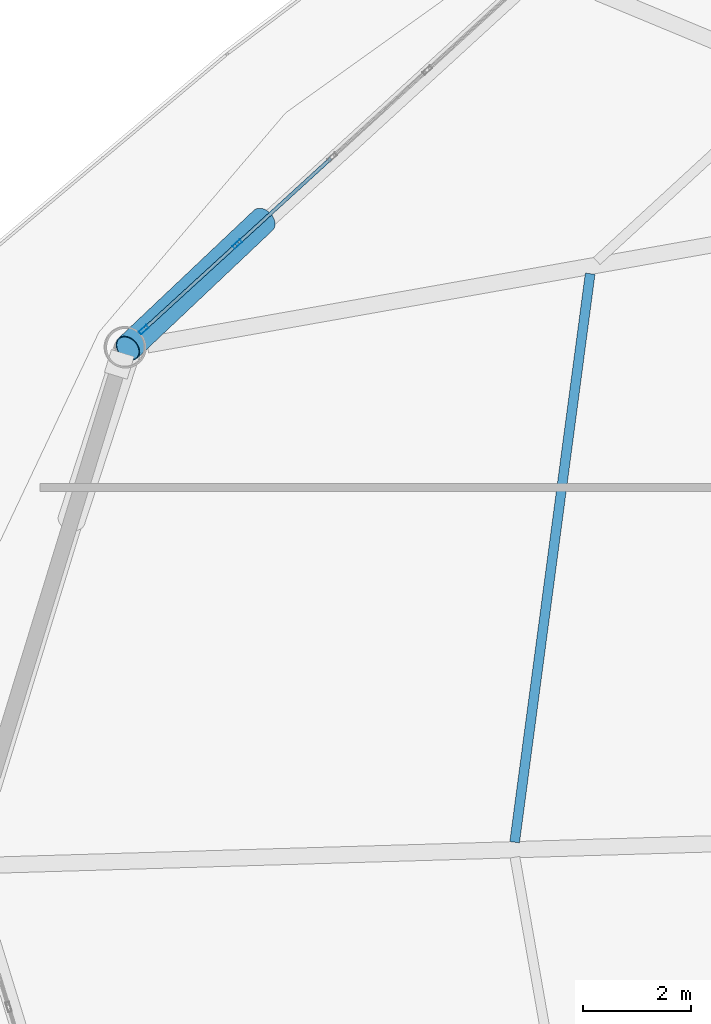
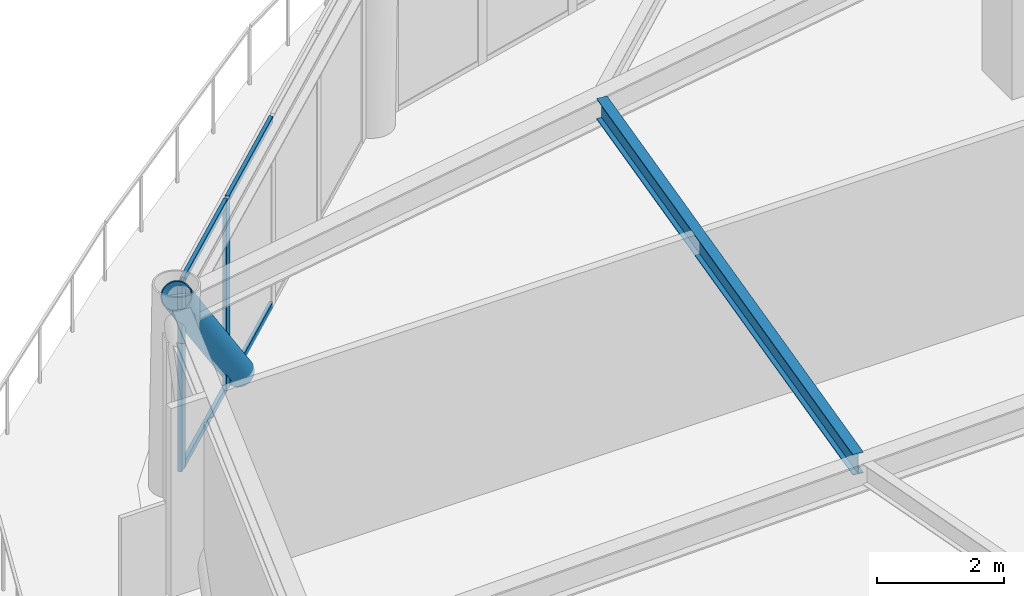
# One storey, part 10 of 23: 7 members, 1 beam, 1 element without a shape of its own.
"""IFC4 building model written with IfcOpenShell, lengths in metres."""

from ifc_helpers import new_model, si_unit, direction, frame, origin, origin_2d, place, context, subcontext, project, spatial, hollow_rectangle, hollow_circle, i_section, extrude, material, layer, layer_set, material_profile, profile_set, type_object, element, aggregate, save


model = new_model("IFC4")

# Units and contexts
model_context = context("Model", 3, precision=1e-05, world=origin(), true_north=direction((0.0, 1.0)))
body_context = subcontext(model_context, "Body", "Model", "MODEL_VIEW")
ifc_project = project(units=[si_unit("LENGTHUNIT", "METRE"), si_unit("AREAUNIT", "SQUARE_METRE"), si_unit("VOLUMEUNIT", "CUBIC_METRE"), si_unit("PLANEANGLEUNIT", "RADIAN"), si_unit("MASSUNIT", "GRAM", prefix="KILO")], contexts=[model_context])

# Site, building, storey
site_placement = place(None, origin())
site = spatial("IfcSite", under=ifc_project, at=site_placement, CompositionType="ELEMENT")
building_placement = place(site_placement, origin())
building = spatial("IfcBuilding", under=site, at=building_placement, Name="Varnakorn Sky Granary", CompositionType="ELEMENT")
storey_placement = place(building_placement, frame((0.0, 0.0, 130.5)))
storey = spatial("IfcBuildingStorey", under=building, at=storey_placement, Name="L32", CompositionType="ELEMENT", Elevation=130.5)

# Beam
ifc_material_1 = material(Name="Steel S355JR", Category="steel")
ifc_material_profile_1 = material_profile(ifc_material_1, i_section(OverallWidth=0.179931640625, OverallDepth=0.39990234375, WebThickness=0.008544921875, FlangeThickness=0.013427734375, at=origin_2d()), Name="IPE 400")
ifc_profile_set_1 = profile_set([ifc_material_profile_1], Name="Steel S355JR")
beam_type = type_object("IfcBeamType", Name="BM-SEC-Z3", PredefinedType="BEAM", material=ifc_profile_set_1)
beam_placement = place(storey_placement, frame((-11.0615234375, 10.952392578125, 3.43994140625), z_axis=(-0.13170536889, -0.991288906326, 0.0), x_axis=(0.991288906326, -0.13170536889, 0.0)))
element("IfcBeam", 1, at=beam_placement, inside=storey, type_object=beam_type, Name="Secondary Floor Chord Beam MSB06 L32", PredefinedType="BEAM", context=body_context, shape_type="SweptSolid", body=[
    extrude(i_section(OverallWidth=0.179931640625, OverallDepth=0.39990234375, WebThickness=0.008544921875, FlangeThickness=0.013427734375, at=origin_2d()), origin(), (0.0, 0.0, 1.0), 10.606689453125),
])

# Curtain wall, members
ifc_material_2 = material(Name="Anodised Bronze Aluminium Alloy 6063-T6", Category="aluminium")
ifc_layer = layer(ifc_material_2, 0.179931640625, Name="Anodised Bronze Aluminium Alloy 6063-T6")
ifc_layer_set = layer_set([ifc_layer], Name="Anodised Bronze Aluminium Alloy 6063-T6")
curtain_wall_type = type_object("IfcCurtainWallType", Name="CW-FRM-2", PredefinedType="USERDEFINED", material=ifc_layer_set)
curtain_wall_placement = place(storey_placement, origin())
curtain_wall = element("IfcCurtainWall", 2, at=curtain_wall_placement, inside=storey, type_object=curtain_wall_type, Name="Unitised Curtain Wall CW4 CW-L32-B05", ObjectType="CURTAIN WALL", PredefinedType="USERDEFINED")
ifc_material_profile_2 = material_profile(ifc_material_2, hollow_rectangle(XDim=0.070068359375, YDim=0.18505859375, WallThickness=0.00390625, at=origin_2d()), Name="ALU MULL 70x185")
ifc_profile_set_2 = profile_set([ifc_material_profile_2], Name="Anodised Bronze Aluminium Alloy 6063-T6")
member_type_1 = type_object("IfcMemberType", Name="CW-FRM-2-MULL", PredefinedType="MULLION", material=ifc_profile_set_2)
member_1_placement = place(storey_placement, frame((-19.319580078125, 9.916748046875, 0.0), z_axis=(0.0, 0.0, 1.0), x_axis=(-0.67491752589, 0.737893171975, 0.0)))
member_1 = element("IfcMember", 3, at=member_1_placement, type_object=member_type_1, Name="CW4 mullion 1", PredefinedType="MULLION", context=body_context, shape_type="SweptSolid", body=[
    extrude(hollow_rectangle(XDim=0.070068359375, YDim=0.18505859375, WallThickness=0.00390625, at=origin_2d()), origin(), (0.0, 0.0, 1.0), 3.639892578125),
])
member_2_placement = place(storey_placement, frame((-17.588134765625, 11.50048828125, 0.0), z_axis=(0.0, 0.0, 1.0), x_axis=(-0.67491752589, 0.737893171975, 0.0)))
member_2 = element("IfcMember", 4, at=member_2_placement, type_object=member_type_1, Name="CW4 mullion 2", PredefinedType="MULLION", context=body_context, shape_type="SweptSolid", body=[
    extrude(hollow_rectangle(XDim=0.070068359375, YDim=0.18505859375, WallThickness=0.00390625, at=origin_2d()), origin(), (0.0, 0.0, 1.0), 3.639892578125),
])
ifc_material_profile_3 = material_profile(ifc_material_2, hollow_rectangle(XDim=0.06494140625, YDim=0.1201171875, WallThickness=0.00341796875, at=origin_2d()), Name="ALU TRAN 65x120")
ifc_profile_set_3 = profile_set([ifc_material_profile_3], Name="Anodised Bronze Aluminium Alloy 6063-T6")
member_type_2 = type_object("IfcMemberType", Name="CW-FRM-2-TRAN", PredefinedType="USERDEFINED", material=ifc_profile_set_3)
member_3_placement = place(storey_placement, frame((-19.2939453125, 9.9404296875, 0.032470703125), z_axis=(0.737932672894, 0.674874336655, 0.0), x_axis=(-0.674874336655, 0.737932672894, 0.0)))
member_3 = element("IfcMember", 5, at=member_3_placement, type_object=member_type_2, Name="CW4 transom 1.1", ObjectType="TRANSOM", PredefinedType="USERDEFINED", context=body_context, shape_type="SweptSolid", body=[
    extrude(hollow_rectangle(XDim=0.06494140625, YDim=0.1201171875, WallThickness=0.00341796875, at=origin_2d()), origin(), (0.0, 0.0, 1.0), 2.276611328125),
])
member_4_placement = place(storey_placement, frame((-19.2939453125, 9.9404296875, 3.607421875), z_axis=(0.737932672894, 0.674874336655, 0.0), x_axis=(-0.674874336655, 0.737932672894, 0.0)))
member_4 = element("IfcMember", 6, at=member_4_placement, type_object=member_type_2, Name="CW4 transom 1.2", ObjectType="TRANSOM", PredefinedType="USERDEFINED", context=body_context, shape_type="SweptSolid", body=[
    extrude(hollow_rectangle(XDim=0.06494140625, YDim=0.1201171875, WallThickness=0.00341796875, at=origin_2d()), origin(), (0.0, 0.0, 1.0), 2.276611328125),
])
member_5_placement = place(storey_placement, frame((-17.5625, 11.52392578125, 0.032470703125), z_axis=(0.737929622989, 0.674877671519, 0.0), x_axis=(-0.674877671519, 0.737929622989, 0.0)))
member_5 = element("IfcMember", 7, at=member_5_placement, type_object=member_type_2, Name="CW4 transom 2.1", ObjectType="TRANSOM", PredefinedType="USERDEFINED", context=body_context, shape_type="SweptSolid", body=[
    extrude(hollow_rectangle(XDim=0.06494140625, YDim=0.1201171875, WallThickness=0.00341796875, at=origin_2d()), origin(), (0.0, 0.0, 1.0), 2.3115234375),
])
member_6_placement = place(storey_placement, frame((-17.5625, 11.52392578125, 3.607421875), z_axis=(0.737929622989, 0.674877671519, 0.0), x_axis=(-0.674877671519, 0.737929622989, 0.0)))
member_6 = element("IfcMember", 8, at=member_6_placement, type_object=member_type_2, Name="CW4 transom 2.2", ObjectType="TRANSOM", PredefinedType="USERDEFINED", context=body_context, shape_type="SweptSolid", body=[
    extrude(hollow_rectangle(XDim=0.06494140625, YDim=0.1201171875, WallThickness=0.00341796875, at=origin_2d()), origin(), (0.0, 0.0, 1.0), 2.3115234375),
])
aggregate(curtain_wall, [member_1, member_2, member_3, member_4, member_5, member_6])

# Member
ifc_material_3 = material(Name="Steel S460M", Category="steel")
ifc_material_profile_4 = material_profile(ifc_material_3, hollow_circle(Radius=0.25390625, WallThickness=0.01806640625, at=origin_2d()), Name="CHS 508x18")
ifc_profile_set_4 = profile_set([ifc_material_profile_4], Name="Steel S460M")
member_type_3 = type_object("IfcMemberType", Name="MB-DIAG-T2", PredefinedType="BRACE", material=ifc_profile_set_4)
member_7_placement = place(storey_placement, frame((-17.11083984375, 11.93701171875, -0.1298828125), z_axis=(-0.490069129309, -0.463241574514, 0.738403339741), x_axis=(0.686935811424, -0.726718095951, 0.0)))
element("IfcMember", 9, at=member_7_placement, inside=storey, type_object=member_type_3, Name="Perimeter CHS Diagrid Brace DG05 L32", PredefinedType="BRACE", context=body_context, shape_type="SweptSolid", body=[
    extrude(hollow_circle(Radius=0.25390625, WallThickness=0.01806640625, at=origin_2d()), origin(), (0.0, 0.0, 1.0), 5.105224609375),
])

save(model, "model.ifc")
